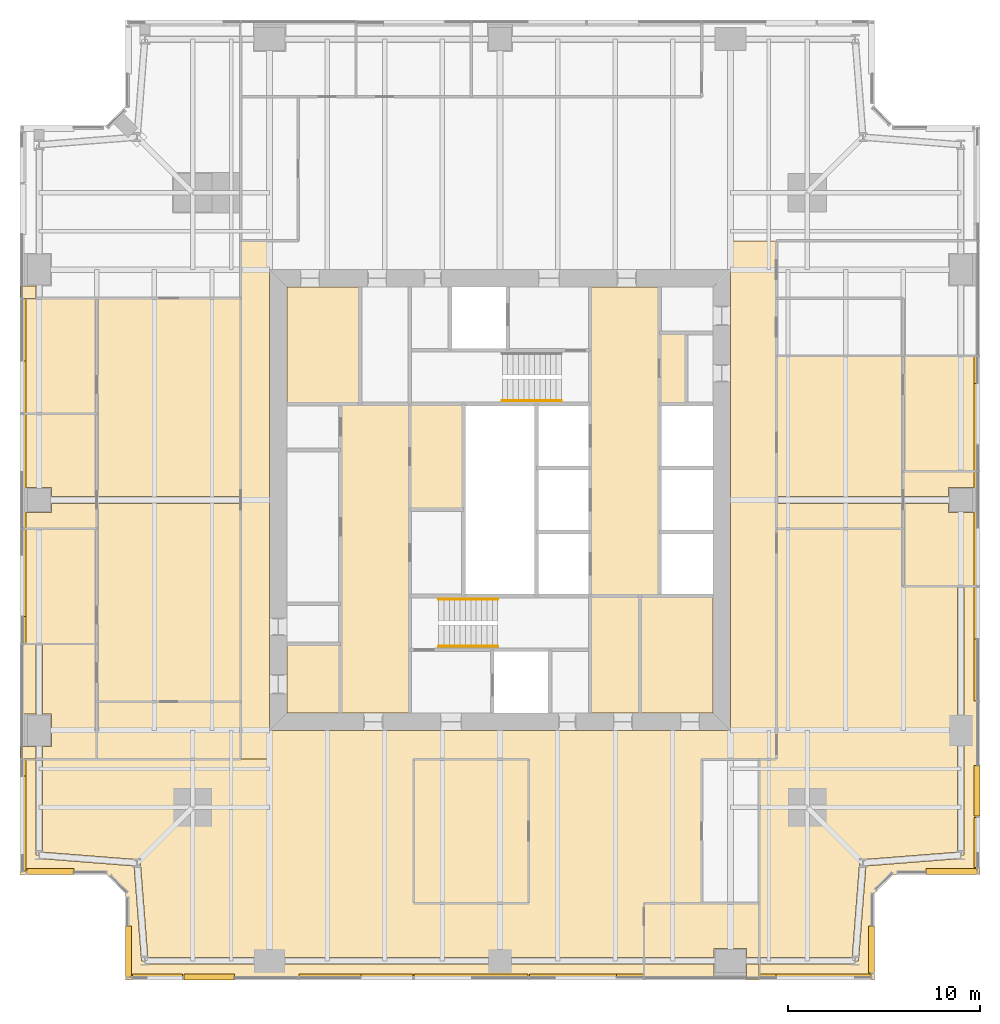
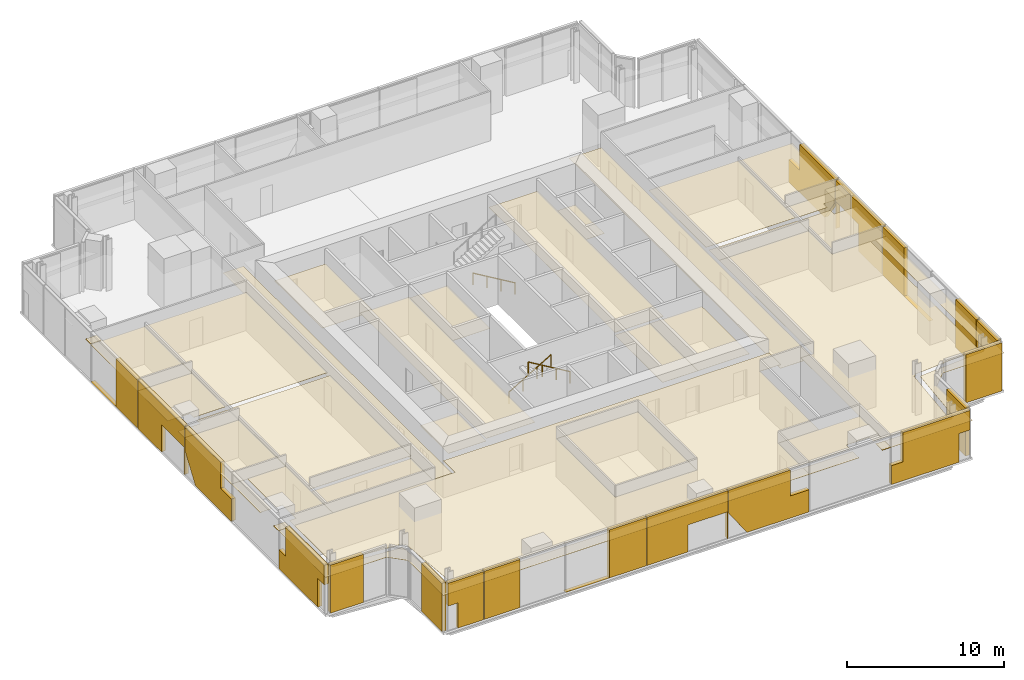
# One storey, part 15 of 16: 53 coverings, 3 railings.
"""IFC4 building model written with IfcOpenShell, lengths in metres."""

from ifc_helpers import new_model, si_unit, direction, frame, origin, origin_2d, place, context, subcontext, project, spatial, polyline, circle, outline, extrude, material, layer, layer_set, type_object, element, save


model = new_model("IFC4")

# Units and contexts
model_context = context("Model", 3, precision=1e-05, world=origin(), true_north=direction((0.0, 1.0)))
body_context = subcontext(model_context, "Body", "Model", "MODEL_VIEW")
ifc_project = project(units=[si_unit("LENGTHUNIT", "METRE"), si_unit("AREAUNIT", "SQUARE_METRE"), si_unit("VOLUMEUNIT", "CUBIC_METRE"), si_unit("PLANEANGLEUNIT", "RADIAN"), si_unit("MASSUNIT", "GRAM", prefix="KILO")], contexts=[model_context])

# Site, building, storey
site_placement = place(None, origin())
site = spatial("IfcSite", under=ifc_project, at=site_placement, CompositionType="ELEMENT")
building_placement = place(site_placement, origin())
building = spatial("IfcBuilding", under=site, at=building_placement, Name="Fenwick Lantern Interchange", CompositionType="ELEMENT")
storey_placement = place(building_placement, frame((0.0, 0.0, 177.800048828125)))
storey = spatial("IfcBuildingStorey", under=building, at=storey_placement, Name="L41", CompositionType="ELEMENT", Elevation=177.800048828125)

# Coverings
ifc_material_1 = material(Name="Mineral fibre acoustic tile on suspended grid")
ifc_layer_1 = layer(ifc_material_1, 0.02001953125)
ifc_layer_set_1 = layer_set([ifc_layer_1], Name="ACOUSTIC TILE CEILING 20")
covering_type_1 = type_object("IfcCoveringType", Name="ACOUSTIC TILE CEILING 20", PredefinedType="CEILING", material=ifc_layer_set_1)
covering_1_placement = place(storey_placement, frame((0.0, 0.0, 2.699951171875)))
element("IfcCovering", 1, at=covering_1_placement, inside=storey, type_object=covering_type_1, Name="Mail room ceiling", PredefinedType="CEILING", context=body_context, shape_type="SweptSolid", body=[
    extrude(outline(polyline([(20.300048828125, 24.5), (23.10009765625, 24.5), (23.10009765625, 30.0), (20.300048828125, 30.0), (20.300048828125, 24.5)])), origin(), (0.0, 0.0, 1.0), 0.02001953125),
])
covering_2_placement = place(storey_placement, frame((0.0, 0.0, 2.699951171875)))
element("IfcCovering", 2, at=covering_2_placement, inside=storey, type_object=covering_type_1, Name="Mail room ceiling", PredefinedType="CEILING", context=body_context, shape_type="SweptSolid", body=[
    extrude(outline(polyline([(34.699951171875, 33.699951171875), (33.300048828125, 33.699951171875), (33.300048828125, 30.0), (34.699951171875, 30.0), (34.699951171875, 33.699951171875)])), origin(), (0.0, 0.0, 1.0), 0.02001953125),
])
covering_3_placement = place(storey_placement, frame((0.0, 0.0, 2.89990234375)))
element("IfcCovering", 3, at=covering_3_placement, inside=storey, type_object=covering_type_1, Name="Open office ceiling", PredefinedType="CEILING", context=body_context, shape_type="SweptSolid", body=[
    extrude(outline(polyline([(32.5, 4.0), (35.5, 4.0), (35.5, 11.5), (37.0, 11.5), (37.0, 13.0), (13.0, 13.0), (13.0, 11.5), (1.17236328125, 11.5), (1.17236328125, 6.659423828125), (6.113525390625, 6.27197265625), (6.10009765625, 6.10009765625), (6.27197265625, 6.113525390625), (6.659423828125, 1.17236328125), (13.0, 1.17236328125), (25.0, 1.17236328125), (32.5, 1.17236328125), (32.5, 4.0)]), holes=[polyline([(20.5, 11.5), (26.5, 11.5), (26.5, 4.0), (20.5, 4.0), (20.5, 11.5)])]), origin(), (0.0, 0.0, 1.0), 0.02001953125),
])
covering_4_placement = place(storey_placement, frame((0.0, 0.0, 2.89990234375)))
element("IfcCovering", 4, at=covering_4_placement, inside=storey, type_object=covering_type_1, Name="Open office ceiling", PredefinedType="CEILING", context=body_context, shape_type="SweptSolid", body=[
    extrude(outline(polyline([(32.5, 0.0), (32.5, 0.82763671875), (25.0, 0.82763671875), (13.0, 0.82763671875), (6.5, 0.82763671875), (6.5, 1.0), (6.328125, 0.986572265625), (5.939697265625, 5.939697265625), (0.986572265625, 6.328125), (1.0, 6.5), (0.82763671875, 6.5), (0.82763671875, 11.5), (0.0, 11.5), (0.0, 5.5), (4.5, 5.5), (5.5, 4.5), (5.5, 0.0), (32.5, 0.0)])), origin(), (0.0, 0.0, 1.0), 0.02001953125),
])
covering_5_placement = place(storey_placement, frame((0.0, 0.0, 2.89990234375)))
element("IfcCovering", 5, at=covering_5_placement, inside=storey, type_object=covering_type_1, Name="Meeting room ceiling", PredefinedType="CEILING", context=body_context, shape_type="SweptSolid", body=[
    extrude(outline(polyline([(20.5, 4.0), (26.5, 4.0), (26.5, 11.5), (20.5, 11.5), (20.5, 4.0)])), origin(), (0.0, 0.0, 1.0), 0.02001953125),
])
covering_6_placement = place(storey_placement, frame((0.0, 0.0, 2.89990234375)))
element("IfcCovering", 6, at=covering_6_placement, inside=storey, type_object=covering_type_1, Name="Office ceiling", PredefinedType="CEILING", context=body_context, shape_type="SweptSolid", body=[
    extrude(outline(polyline([(32.5, 4.0), (32.5, 1.17236328125), (36.14990234375, 1.17236328125), (36.14990234375, 1.64990234375), (37.85009765625, 1.64990234375), (37.85009765625, 1.17236328125), (38.5, 1.17236328125), (38.5, 4.0), (32.5, 4.0)])), origin(), (0.0, 0.0, 1.0), 0.02001953125),
])
covering_7_placement = place(storey_placement, frame((0.0, 0.0, 2.89990234375)))
element("IfcCovering", 7, at=covering_7_placement, inside=storey, type_object=covering_type_1, Name="Office ceiling", PredefinedType="CEILING", context=body_context, shape_type="SweptSolid", body=[
    extrude(outline(polyline([(32.5, 0.82763671875), (32.5, 0.0), (36.14990234375, 0.0), (36.14990234375, 0.82763671875), (32.5, 0.82763671875)])), origin(), (0.0, 0.0, 1.0), 0.02001953125),
])
covering_8_placement = place(storey_placement, frame((0.0, 0.0, 2.89990234375)))
element("IfcCovering", 8, at=covering_8_placement, inside=storey, type_object=covering_type_1, Name="Office ceiling", PredefinedType="CEILING", context=body_context, shape_type="SweptSolid", body=[
    extrude(outline(polyline([(38.5, 0.0), (38.5, 0.82763671875), (37.85009765625, 0.82763671875), (37.85009765625, 0.0), (38.5, 0.0)])), origin(), (0.0, 0.0, 1.0), 0.02001953125),
])
covering_9_placement = place(storey_placement, frame((0.0, 0.0, 2.8681640625)))
element("IfcCovering", 9, at=covering_9_placement, inside=storey, type_object=covering_type_1, Name="Meeting room ceiling", PredefinedType="CEILING", context=body_context, shape_type="SweptSolid", body=[
    extrude(outline(polyline([(46.0, 20.5), (50.0, 20.5), (50.0, 24.35009765625), (48.35009765625, 24.35009765625), (48.35009765625, 24.824951171875), (46.0, 24.824951171875), (46.0, 20.5)])), origin(), (0.0, 0.0, 1.0), 0.02001953125),
])
covering_10_placement = place(storey_placement, frame((0.0, 0.0, 2.8681640625)))
element("IfcCovering", 10, at=covering_10_placement, inside=storey, type_object=covering_type_1, Name="Meeting room ceiling", PredefinedType="CEILING", context=body_context, shape_type="SweptSolid", body=[
    extrude(outline(polyline([(46.0, 26.5), (46.0, 25.175048828125), (48.35009765625, 25.175048828125), (48.35009765625, 25.64990234375), (50.0, 25.64990234375), (50.0, 26.5), (46.0, 26.5)])), origin(), (0.0, 0.0, 1.0), 0.02001953125),
])
covering_11_placement = place(storey_placement, frame((0.0, 0.0, 2.8681640625)))
element("IfcCovering", 11, at=covering_11_placement, inside=storey, type_object=covering_type_1, Name="Meeting room ceiling", PredefinedType="CEILING", context=body_context, shape_type="SweptSolid", body=[
    extrude(outline(polyline([(50.0, 26.5), (50.0, 32.5), (46.0, 32.5), (46.0, 26.5), (50.0, 26.5)])), origin(), (0.0, 0.0, 1.0), 0.02001953125),
])
covering_12_placement = place(storey_placement, frame((0.0, 0.0, 2.89990234375)))
element("IfcCovering", 12, at=covering_12_placement, inside=storey, type_object=covering_type_1, Name="Open office ceiling", PredefinedType="CEILING", context=body_context, shape_type="SweptSolid", body=[
    extrude(outline(polyline([(11.5, 14.5), (11.5, 24.824951171875), (4.0, 24.824951171875), (4.0, 14.5), (11.5, 14.5)])), origin(), (0.0, 0.0, 1.0), 0.02001953125),
])
covering_13_placement = place(storey_placement, frame((0.0, 0.0, 2.89990234375)))
element("IfcCovering", 13, at=covering_13_placement, inside=storey, type_object=covering_type_1, Name="Open office ceiling", PredefinedType="CEILING", context=body_context, shape_type="SweptSolid", body=[
    extrude(outline(polyline([(11.5, 25.175048828125), (11.5, 35.5), (4.0, 35.5), (4.0, 25.175048828125), (11.5, 25.175048828125)])), origin(), (0.0, 0.0, 1.0), 0.02001953125),
])
covering_14_placement = place(storey_placement, frame((0.0, 0.0, 2.89990234375)))
element("IfcCovering", 14, at=covering_14_placement, inside=storey, type_object=covering_type_1, Name="Executive office ceiling", PredefinedType="CEILING", context=body_context, shape_type="SweptSolid", body=[
    extrude(outline(polyline([(0.0, 35.5), (0.82763671875, 35.5), (0.82763671875, 36.14990234375), (0.0, 36.14990234375), (0.0, 35.5)])), origin(), (0.0, 0.0, 1.0), 0.02001953125),
])
covering_15_placement = place(storey_placement, frame((0.0, 0.0, 2.8681640625)))
element("IfcCovering", 15, at=covering_15_placement, inside=storey, type_object=covering_type_1, Name="Office ceiling", PredefinedType="CEILING", context=body_context, shape_type="SweptSolid", body=[
    extrude(outline(polyline([(0.0, 35.5), (0.0, 29.5), (4.0, 29.5), (4.0, 35.5), (0.0, 35.5)])), origin(), (0.0, 0.0, 1.0), 0.02001953125),
])
covering_16_placement = place(storey_placement, frame((0.0, 0.0, 2.8681640625)))
element("IfcCovering", 16, at=covering_16_placement, inside=storey, type_object=covering_type_1, Name="Office ceiling", PredefinedType="CEILING", context=body_context, shape_type="SweptSolid", body=[
    extrude(outline(polyline([(4.0, 29.5), (0.0, 29.5), (0.0, 25.64990234375), (1.64990234375, 25.64990234375), (1.64990234375, 25.175048828125), (4.0, 25.175048828125), (4.0, 29.5)])), origin(), (0.0, 0.0, 1.0), 0.02001953125),
])
covering_17_placement = place(storey_placement, frame((0.0, 0.0, 2.8681640625)))
element("IfcCovering", 17, at=covering_17_placement, inside=storey, type_object=covering_type_1, Name="Office ceiling", PredefinedType="CEILING", context=body_context, shape_type="SweptSolid", body=[
    extrude(outline(polyline([(4.0, 23.5), (4.0, 24.824951171875), (1.64990234375, 24.824951171875), (1.64990234375, 24.35009765625), (0.0, 24.35009765625), (0.0, 23.5), (4.0, 23.5)])), origin(), (0.0, 0.0, 1.0), 0.02001953125),
])
covering_18_placement = place(storey_placement, frame((0.0, 0.0, 2.8681640625)))
element("IfcCovering", 18, at=covering_18_placement, inside=storey, type_object=covering_type_1, Name="Office ceiling", PredefinedType="CEILING", context=body_context, shape_type="SweptSolid", body=[
    extrude(outline(polyline([(0.0, 23.5), (0.0, 17.5), (4.0, 17.5), (4.0, 23.5), (0.0, 23.5)])), origin(), (0.0, 0.0, 1.0), 0.02001953125),
])
covering_19_placement = place(storey_placement, frame((0.0, 0.0, 2.89990234375)))
element("IfcCovering", 19, at=covering_19_placement, inside=storey, type_object=covering_type_1, Name="Meeting room ceiling", PredefinedType="CEILING", context=body_context, shape_type="SweptSolid", body=[
    extrude(outline(polyline([(4.0, 17.5), (1.17236328125, 17.5), (1.17236328125, 13.85009765625), (1.64990234375, 13.85009765625), (1.64990234375, 12.14990234375), (1.17236328125, 12.14990234375), (1.17236328125, 11.5), (4.0, 11.5), (4.0, 17.5)])), origin(), (0.0, 0.0, 1.0), 0.02001953125),
])
covering_20_placement = place(storey_placement, frame((0.0, 0.0, 2.89990234375)))
element("IfcCovering", 20, at=covering_20_placement, inside=storey, type_object=covering_type_1, Name="Meeting room ceiling", PredefinedType="CEILING", context=body_context, shape_type="SweptSolid", body=[
    extrude(outline(polyline([(0.82763671875, 17.5), (0.0, 17.5), (0.0, 13.85009765625), (0.82763671875, 13.85009765625), (0.82763671875, 17.5)])), origin(), (0.0, 0.0, 1.0), 0.02001953125),
])
covering_21_placement = place(storey_placement, frame((0.0, 0.0, 2.89990234375)))
element("IfcCovering", 21, at=covering_21_placement, inside=storey, type_object=covering_type_1, Name="Meeting room ceiling", PredefinedType="CEILING", context=body_context, shape_type="SweptSolid", body=[
    extrude(outline(polyline([(0.0, 11.5), (0.82763671875, 11.5), (0.82763671875, 12.14990234375), (0.0, 12.14990234375), (0.0, 11.5)])), origin(), (0.0, 0.0, 1.0), 0.02001953125),
])
ifc_material_2 = material(Name="Granite cladding, warm grey flamed finish, on aluminium carrier frame", Category="masonry")
ifc_layer_2 = layer(ifc_material_2, 0.300048828125)
ifc_layer_set_2 = layer_set([ifc_layer_2], Name="BRACE CASING PANEL 300")
covering_type_2 = type_object("IfcCoveringType", Name="BRACE CASING PANEL 300", PredefinedType="CLADDING", material=ifc_layer_set_2)
covering_22_placement = place(storey_placement, frame((5.60009765625, 0.10009765625, 0.0), z_axis=(0.0, 0.0, 1.0), x_axis=(1.0, 0.0, 0.0)))
element("IfcCovering", 22, at=covering_22_placement, inside=storey, type_object=covering_type_2, Name="Brace casing 01 bay 00a", PredefinedType="CLADDING", context=body_context, shape_type="SweptSolid", body=[
    extrude(outline(polyline([(0.9951171875, 0.0), (2.867431640625, 0.0), (2.867431640625, 3.75), (0.264892578125, 3.75), (0.264892578125, 1.970947265625), (0.9951171875, 1.970947265625), (0.9951171875, 0.0)])), frame((0.0, 0.2001953125, 0.0), z_axis=(0.0, -1.0, 0.0), x_axis=(1.0, 0.0, 0.0)), (0.0, 0.0, 1.0), 0.300048828125),
])
covering_23_placement = place(storey_placement, frame((5.60009765625, 0.10009765625, 0.0), z_axis=(0.0, 0.0, 1.0), x_axis=(1.0, 0.0, 0.0)))
element("IfcCovering", 23, at=covering_23_placement, inside=storey, type_object=covering_type_2, Name="Brace casing 01 bay 01a", PredefinedType="CLADDING", context=body_context, shape_type="SweptSolid", body=[
    extrude(outline(polyline([(2.9326171875, 0.0), (5.5693359375, 0.0), (5.5693359375, 3.75), (2.9326171875, 3.75), (2.9326171875, 0.0)])), frame((0.0, 0.2001953125, 0.0), z_axis=(0.0, -1.0, 0.0), x_axis=(1.0, 0.0, 0.0)), (0.0, 0.0, 1.0), 0.300048828125),
])
covering_24_placement = place(storey_placement, frame((5.60009765625, 0.10009765625, 0.0), z_axis=(0.0, 0.0, 1.0), x_axis=(1.0, 0.0, 0.0)))
element("IfcCovering", 24, at=covering_24_placement, inside=storey, type_object=covering_type_2, Name="Brace casing 01 bay 02a", PredefinedType="CLADDING", context=body_context, shape_type="SweptSolid", body=[
    extrude(outline(polyline([(8.9326171875, 0.0), (14.867431640625, 0.0), (14.867431640625, 3.75), (12.1474609375, 3.75), (12.1474609375, 0.004638671875), (8.9326171875, 0.004638671875), (8.9326171875, 0.0)])), frame((0.0, 0.2001953125, 0.0), z_axis=(0.0, -1.0, 0.0), x_axis=(1.0, 0.0, 0.0)), (0.0, 0.0, 1.0), 0.300048828125),
])
covering_25_placement = place(storey_placement, frame((5.60009765625, 0.10009765625, 0.0), z_axis=(0.0, 0.0, 1.0), x_axis=(1.0, 0.0, 0.0)))
element("IfcCovering", 25, at=covering_25_placement, inside=storey, type_object=covering_type_2, Name="Brace casing 01 bay 03a", PredefinedType="CLADDING", context=body_context, shape_type="SweptSolid", body=[
    extrude(outline(polyline([(14.9326171875, 0.0), (17.955078125, 0.0), (17.955078125, 2.10595703125), (20.84521484375, 2.10595703125), (20.84521484375, 0.0), (20.867431640625, 0.0), (20.867431640625, 3.75), (14.9326171875, 3.75), (14.9326171875, 0.0)])), frame((0.0, 0.2001953125, 0.0), z_axis=(0.0, -1.0, 0.0), x_axis=(1.0, 0.0, 0.0)), (0.0, 0.0, 1.0), 0.300048828125),
])
covering_26_placement = place(storey_placement, frame((5.60009765625, 0.10009765625, 0.0), z_axis=(0.0, 0.0, 1.0), x_axis=(1.0, 0.0, 0.0)))
element("IfcCovering", 26, at=covering_26_placement, inside=storey, type_object=covering_type_2, Name="Brace casing 01 bay 04a", PredefinedType="CLADDING", context=body_context, shape_type="SweptSolid", body=[
    extrude(outline(polyline([(22.289794921875, 0.0), (26.867431640625, 0.0), (26.867431640625, 1.723876953125), (25.472900390625, 1.723876953125), (25.472900390625, 3.75), (20.9326171875, 3.75), (20.9326171875, 1.978515625), (22.289794921875, 0.0)])), frame((0.0, 0.2001953125, 0.0), z_axis=(0.0, -1.0, 0.0), x_axis=(1.0, 0.0, 0.0)), (0.0, 0.0, 1.0), 0.300048828125),
])
covering_27_placement = place(storey_placement, frame((5.60009765625, 0.10009765625, 0.0), z_axis=(0.0, 0.0, 1.0), x_axis=(1.0, 0.0, 0.0)))
element("IfcCovering", 27, at=covering_27_placement, inside=storey, type_object=covering_type_2, Name="Brace casing 01 bay 06a", PredefinedType="CLADDING", context=body_context, shape_type="SweptSolid", body=[
    extrude(outline(polyline([(32.9326171875, 0.0), (37.902587890625, 0.0), (37.902587890625, 2.2333984375), (38.735107421875, 2.2333984375), (38.735107421875, 3.75), (33.777587890625, 3.75), (33.777587890625, 1.468017578125), (32.9326171875, 1.468017578125), (32.9326171875, 0.0)])), frame((0.0, 0.2001953125, 0.0), z_axis=(0.0, -1.0, 0.0), x_axis=(1.0, 0.0, 0.0)), (0.0, 0.0, 1.0), 0.300048828125),
])
covering_28_placement = place(storey_placement, frame((44.39990234375, 0.10009765625, 0.0), z_axis=(0.0, 0.0, 1.0), x_axis=(0.0, 1.0, 0.0)))
element("IfcCovering", 28, at=covering_28_placement, inside=storey, type_object=covering_type_2, Name="Brace casing 02 bay 00a", PredefinedType="CLADDING", context=body_context, shape_type="SweptSolid", body=[
    extrude(outline(polyline([(0.264892578125, 0.0), (2.699951171875, 0.0), (2.699951171875, 3.75), (0.264892578125, 3.75), (0.264892578125, 0.0)])), frame((0.0, 0.2001953125, 0.0), z_axis=(0.0, -1.0, 0.0), x_axis=(1.0, 0.0, 0.0)), (0.0, 0.0, 1.0), 0.300048828125),
])
covering_29_placement = place(storey_placement, frame((45.45849609375, 5.60009765625, 0.0), z_axis=(0.0, 0.0, 1.0), x_axis=(1.0, 0.0, 0.0)))
element("IfcCovering", 29, at=covering_29_placement, inside=storey, type_object=covering_type_2, Name="Brace casing 04 bay 00a", PredefinedType="CLADDING", context=body_context, shape_type="SweptSolid", body=[
    extrude(outline(polyline([(1.741455078125, 0.0), (4.37646484375, 0.0), (4.37646484375, 3.75), (1.741455078125, 3.75), (1.741455078125, 0.0)])), frame((0.0, 0.2001953125, 0.0), z_axis=(0.0, -1.0, 0.0), x_axis=(1.0, 0.0, 0.0)), (0.0, 0.0, 1.0), 0.300048828125),
])
covering_30_placement = place(storey_placement, frame((49.89990234375, 5.60009765625, 0.0), z_axis=(0.0, 0.0, 1.0), x_axis=(0.0, 1.0, 0.0)))
element("IfcCovering", 30, at=covering_30_placement, inside=storey, type_object=covering_type_2, Name="Brace casing 05 bay 00a", PredefinedType="CLADDING", context=body_context, shape_type="SweptSolid", body=[
    extrude(outline(polyline([(0.9951171875, 0.0), (2.867431640625, 0.0), (2.867431640625, 3.75), (0.264892578125, 3.75), (0.264892578125, 1.970947265625), (0.9951171875, 1.970947265625), (0.9951171875, 0.0)])), frame((0.0, 0.2001953125, 0.0), z_axis=(0.0, -1.0, 0.0), x_axis=(1.0, 0.0, 0.0)), (0.0, 0.0, 1.0), 0.300048828125),
])
covering_31_placement = place(storey_placement, frame((49.89990234375, 5.60009765625, 0.0), z_axis=(0.0, 0.0, 1.0), x_axis=(0.0, 1.0, 0.0)))
element("IfcCovering", 31, at=covering_31_placement, inside=storey, type_object=covering_type_2, Name="Brace casing 05 bay 01a", PredefinedType="CLADDING", context=body_context, shape_type="SweptSolid", body=[
    extrude(outline(polyline([(2.9326171875, 0.0), (5.5693359375, 0.0), (5.5693359375, 3.75), (2.9326171875, 3.75), (2.9326171875, 0.0)])), frame((0.0, 0.2001953125, 0.0), z_axis=(0.0, -1.0, 0.0), x_axis=(1.0, 0.0, 0.0)), (0.0, 0.0, 1.0), 0.300048828125),
])
covering_32_placement = place(storey_placement, frame((49.89990234375, 5.60009765625, 0.0), z_axis=(0.0, 0.0, 1.0), x_axis=(0.0, 1.0, 0.0)))
element("IfcCovering", 32, at=covering_32_placement, inside=storey, type_object=covering_type_2, Name="Brace casing 05 bay 02a", PredefinedType="CLADDING", context=body_context, shape_type="SweptSolid", body=[
    extrude(outline(polyline([(8.9326171875, 0.0), (14.867431640625, 0.0), (14.867431640625, 3.75), (12.1474609375, 3.75), (12.1474609375, 0.004638671875), (8.9326171875, 0.004638671875), (8.9326171875, 0.0)])), frame((0.0, 0.2001953125, 0.0), z_axis=(0.0, -1.0, 0.0), x_axis=(1.0, 0.0, 0.0)), (0.0, 0.0, 1.0), 0.300048828125),
])
covering_33_placement = place(storey_placement, frame((49.89990234375, 5.60009765625, 0.0), z_axis=(0.0, 0.0, 1.0), x_axis=(0.0, 1.0, 0.0)))
element("IfcCovering", 33, at=covering_33_placement, inside=storey, type_object=covering_type_2, Name="Brace casing 05 bay 03a", PredefinedType="CLADDING", context=body_context, shape_type="SweptSolid", body=[
    extrude(outline(polyline([(14.9326171875, 0.0), (17.955078125, 0.0), (17.955078125, 2.10595703125), (20.84521484375, 2.10595703125), (20.84521484375, 0.0), (20.867431640625, 0.0), (20.867431640625, 3.75), (14.9326171875, 3.75), (14.9326171875, 0.0)])), frame((0.0, 0.2001953125, 0.0), z_axis=(0.0, -1.0, 0.0), x_axis=(1.0, 0.0, 0.0)), (0.0, 0.0, 1.0), 0.300048828125),
])
covering_34_placement = place(storey_placement, frame((49.89990234375, 5.60009765625, 0.0), z_axis=(0.0, 0.0, 1.0), x_axis=(0.0, 1.0, 0.0)))
element("IfcCovering", 34, at=covering_34_placement, inside=storey, type_object=covering_type_2, Name="Brace casing 05 bay 04a", PredefinedType="CLADDING", context=body_context, shape_type="SweptSolid", body=[
    extrude(outline(polyline([(22.289794921875, 0.0), (26.867431640625, 0.0), (26.867431640625, 1.723876953125), (25.472900390625, 1.723876953125), (25.472900390625, 3.75), (20.9326171875, 3.75), (20.9326171875, 1.978515625), (22.289794921875, 0.0)])), frame((0.0, 0.2001953125, 0.0), z_axis=(0.0, -1.0, 0.0), x_axis=(1.0, 0.0, 0.0)), (0.0, 0.0, 1.0), 0.300048828125),
])
covering_35_placement = place(storey_placement, frame((0.10009765625, 44.39990234375, 0.0), z_axis=(0.0, 0.0, 1.0), x_axis=(0.0, -1.0, 0.0)))
element("IfcCovering", 35, at=covering_35_placement, inside=storey, type_object=covering_type_2, Name="Brace casing 13 bay 02a", PredefinedType="CLADDING", context=body_context, shape_type="SweptSolid", body=[
    extrude(outline(polyline([(8.9326171875, 0.0), (14.867431640625, 0.0), (14.867431640625, 3.75), (12.1474609375, 3.75), (12.1474609375, 0.004638671875), (8.9326171875, 0.004638671875), (8.9326171875, 0.0)])), frame((0.0, 0.2001953125, 0.0), z_axis=(0.0, -1.0, 0.0), x_axis=(1.0, 0.0, 0.0)), (0.0, 0.0, 1.0), 0.300048828125),
])
covering_36_placement = place(storey_placement, frame((0.10009765625, 44.39990234375, 0.0), z_axis=(0.0, 0.0, 1.0), x_axis=(0.0, -1.0, 0.0)))
element("IfcCovering", 36, at=covering_36_placement, inside=storey, type_object=covering_type_2, Name="Brace casing 13 bay 03a", PredefinedType="CLADDING", context=body_context, shape_type="SweptSolid", body=[
    extrude(outline(polyline([(14.9326171875, 0.0), (17.955078125, 0.0), (17.955078125, 2.10595703125), (20.84521484375, 2.10595703125), (20.84521484375, 0.0), (20.867431640625, 0.0), (20.867431640625, 3.75), (14.9326171875, 3.75), (14.9326171875, 0.0)])), frame((0.0, 0.2001953125, 0.0), z_axis=(0.0, -1.0, 0.0), x_axis=(1.0, 0.0, 0.0)), (0.0, 0.0, 1.0), 0.300048828125),
])
covering_37_placement = place(storey_placement, frame((0.10009765625, 44.39990234375, 0.0), z_axis=(0.0, 0.0, 1.0), x_axis=(0.0, -1.0, 0.0)))
element("IfcCovering", 37, at=covering_37_placement, inside=storey, type_object=covering_type_2, Name="Brace casing 13 bay 04a", PredefinedType="CLADDING", context=body_context, shape_type="SweptSolid", body=[
    extrude(outline(polyline([(22.289794921875, 0.0), (26.867431640625, 0.0), (26.867431640625, 1.723876953125), (25.472900390625, 1.723876953125), (25.472900390625, 3.75), (20.9326171875, 3.75), (20.9326171875, 1.978515625), (22.289794921875, 0.0)])), frame((0.0, 0.2001953125, 0.0), z_axis=(0.0, -1.0, 0.0), x_axis=(1.0, 0.0, 0.0)), (0.0, 0.0, 1.0), 0.300048828125),
])
covering_38_placement = place(storey_placement, frame((0.10009765625, 44.39990234375, 0.0), z_axis=(0.0, 0.0, 1.0), x_axis=(0.0, -1.0, 0.0)))
element("IfcCovering", 38, at=covering_38_placement, inside=storey, type_object=covering_type_2, Name="Brace casing 13 bay 06a", PredefinedType="CLADDING", context=body_context, shape_type="SweptSolid", body=[
    extrude(outline(polyline([(32.9326171875, 0.0), (37.902587890625, 0.0), (37.902587890625, 2.2333984375), (38.735107421875, 2.2333984375), (38.735107421875, 3.75), (33.777587890625, 3.75), (33.777587890625, 1.468017578125), (32.9326171875, 1.468017578125), (32.9326171875, 0.0)])), frame((0.0, 0.2001953125, 0.0), z_axis=(0.0, -1.0, 0.0), x_axis=(1.0, 0.0, 0.0)), (0.0, 0.0, 1.0), 0.300048828125),
])
covering_39_placement = place(storey_placement, frame((0.10009765625, 5.60009765625, 0.0), z_axis=(0.0, 0.0, 1.0), x_axis=(1.0, 0.0, 0.0)))
element("IfcCovering", 39, at=covering_39_placement, inside=storey, type_object=covering_type_2, Name="Brace casing 14 bay 00a", PredefinedType="CLADDING", context=body_context, shape_type="SweptSolid", body=[
    extrude(outline(polyline([(0.264892578125, 0.0), (2.699951171875, 0.0), (2.699951171875, 3.75), (0.264892578125, 3.75), (0.264892578125, 0.0)])), frame((0.0, 0.2001953125, 0.0), z_axis=(0.0, -1.0, 0.0), x_axis=(1.0, 0.0, 0.0)), (0.0, 0.0, 1.0), 0.300048828125),
])
covering_40_placement = place(storey_placement, frame((5.60009765625, 4.54150390625, 0.0), z_axis=(0.0, 0.0, 1.0), x_axis=(0.0, -1.0, 0.0)))
element("IfcCovering", 40, at=covering_40_placement, inside=storey, type_object=covering_type_2, Name="Brace casing 16 bay 00a", PredefinedType="CLADDING", context=body_context, shape_type="SweptSolid", body=[
    extrude(outline(polyline([(1.741455078125, 0.0), (4.37646484375, 0.0), (4.37646484375, 3.75), (1.741455078125, 3.75), (1.741455078125, 0.0)])), frame((0.0, 0.2001953125, 0.0), z_axis=(0.0, -1.0, 0.0), x_axis=(1.0, 0.0, 0.0)), (0.0, 0.0, 1.0), 0.300048828125),
])

# Railings
ifc_material_3 = material(Name="Stainless steel handrail", Category="steel")
railing_type = type_object("IfcRailingType", Name="HANDRAIL 900", PredefinedType="HANDRAIL", material=ifc_material_3)
railing_placement = place(storey_placement, frame((21.800048828125, 19.825927734375, 0.16650390625)))
element("IfcRailing", 41, at=railing_placement, inside=storey, type_object=railing_type, Name="L41/STAIR/ST1/HR1", PredefinedType="HANDRAIL", context=body_context, shape_type="SweptSolid", body=[
    extrude(circle(Radius=0.02392578125, at=origin_2d()), frame((0.0, 0.0, 0.8759765625), z_axis=(0.859260807169, 0.0, 0.511537745687), x_axis=(0.0, 1.0, 0.0)), (0.0, 0.0, 1.0), 3.584228515625),
    extrude(circle(Radius=0.02099609375, at=origin_2d()), origin(), (0.0, 0.0, 1.0), 0.851806640625),
    extrude(circle(Radius=0.02099609375, at=origin_2d()), frame((1.026611328125, 0.0, 0.611083984375)), (0.0, 0.0, 1.0), 0.851806640625),
    extrude(circle(Radius=0.02099609375, at=origin_2d()), frame((2.05322265625, 0.0, 1.222412109375)), (0.0, 0.0, 1.0), 0.851806640625),
    extrude(circle(Radius=0.02099609375, at=origin_2d()), frame((3.079833984375, 0.0, 1.83349609375)), (0.0, 0.0, 1.0), 0.851806640625),
])
for number, where, name in (
    (42, (24.8798828125, 17.3740234375, 2.16650390625), "L41/STAIR/ST1/HR2"),
    (43, (28.199951171875, 30.174072265625, 0.16650390625), "L41/STAIR/ST2/HR1"),
):
    element("IfcRailing", number, at=place(storey_placement, frame(where)), inside=storey, type_object=railing_type, Name=name, PredefinedType="HANDRAIL", context=body_context, shape_type="SweptSolid", body=[
        extrude(circle(Radius=0.02392578125, at=origin_2d()), frame((0.0, 0.0, 0.8759765625), z_axis=(-0.859260807169, 0.0, 0.511537745687), x_axis=(0.0, -1.0, 0.0)), (0.0, 0.0, 1.0), 3.584228515625),
        extrude(circle(Radius=0.02099609375, at=origin_2d()), origin(), (0.0, 0.0, 1.0), 0.851806640625),
        extrude(circle(Radius=0.02099609375, at=origin_2d()), frame((-1.026611328125, 0.0, 0.611083984375)), (0.0, 0.0, 1.0), 0.851806640625),
        extrude(circle(Radius=0.02099609375, at=origin_2d()), frame((-2.05322265625, 0.0, 1.222412109375)), (0.0, 0.0, 1.0), 0.851806640625),
        extrude(circle(Radius=0.02099609375, at=origin_2d()), frame((-3.079833984375, 0.0, 1.83349609375)), (0.0, 0.0, 1.0), 0.851806640625),
    ])

# Coverings
ifc_material_4 = material(Name="Moisture resistant gypsum board on suspended frame, painted")
ifc_layer_3 = layer(ifc_material_4, 0.014892578125)
ifc_layer_set_3 = layer_set([ifc_layer_3], Name="MOISTURE RESISTANT CEILING 15")
covering_type_3 = type_object("IfcCoveringType", Name="MOISTURE RESISTANT CEILING 15", PredefinedType="CEILING", material=ifc_layer_set_3)
covering_41_placement = place(storey_placement, frame((0.0, 0.0, 2.599853515625)))
element("IfcCovering", 44, at=covering_41_placement, inside=storey, type_object=covering_type_3, Name="Men's WC ceiling", PredefinedType="CEILING", context=body_context, shape_type="SweptSolid", body=[
    extrude(outline(polyline([(29.699951171875, 13.89990234375), (32.300048828125, 13.89990234375), (32.300048828125, 20.0), (29.699951171875, 20.0), (29.699951171875, 13.89990234375)])), origin(), (0.0, 0.0, 1.0), 0.01513671875),
])
covering_42_placement = place(storey_placement, frame((0.0, 0.0, 2.599853515625)))
element("IfcCovering", 45, at=covering_42_placement, inside=storey, type_object=covering_type_3, Name="Women's WC ceiling", PredefinedType="CEILING", context=body_context, shape_type="SweptSolid", body=[
    extrude(outline(polyline([(32.300048828125, 13.89990234375), (36.10009765625, 13.89990234375), (36.10009765625, 20.0), (32.300048828125, 20.0), (32.300048828125, 13.89990234375)])), origin(), (0.0, 0.0, 1.0), 0.01513671875),
])
covering_43_placement = place(storey_placement, frame((0.0, 0.0, 2.599853515625)))
element("IfcCovering", 46, at=covering_43_placement, inside=storey, type_object=covering_type_3, Name="Accessible WC and shower ceiling", PredefinedType="CEILING", context=body_context, shape_type="SweptSolid", body=[
    extrude(outline(polyline([(13.89990234375, 13.89990234375), (16.699951171875, 13.89990234375), (16.699951171875, 17.5), (13.89990234375, 17.5), (13.89990234375, 13.89990234375)])), origin(), (0.0, 0.0, 1.0), 0.01513671875),
])
covering_44_placement = place(storey_placement, frame((0.0, 0.0, 2.599853515625)))
element("IfcCovering", 47, at=covering_44_placement, inside=storey, type_object=covering_type_3, Name="Women's WC ceiling", PredefinedType="CEILING", context=body_context, shape_type="SweptSolid", body=[
    extrude(outline(polyline([(17.699951171875, 36.10009765625), (13.89990234375, 36.10009765625), (13.89990234375, 30.0), (17.699951171875, 30.0), (17.699951171875, 36.10009765625)])), origin(), (0.0, 0.0, 1.0), 0.01513671875),
])
covering_45_placement = place(storey_placement, frame((0.0, 0.0, 2.699951171875)))
element("IfcCovering", 48, at=covering_45_placement, inside=storey, type_object=covering_type_3, Name="Pantry ceiling", PredefinedType="CEILING", context=body_context, shape_type="SweptSolid", body=[
    extrude(outline(polyline([(4.0, 14.5), (4.0, 11.5), (11.5, 11.5), (11.5, 14.5), (4.0, 14.5)])), origin(), (0.0, 0.0, 1.0), 0.014892578125),
])
ifc_material_5 = material(Name="Gypsum plasterboard on suspended frame, painted")
ifc_layer_4 = layer(ifc_material_5, 0.014892578125)
ifc_layer_set_4 = layer_set([ifc_layer_4], Name="PLASTERBOARD CEILING 15")
covering_type_4 = type_object("IfcCoveringType", Name="PLASTERBOARD CEILING 15", PredefinedType="CEILING", material=ifc_layer_set_4)
covering_46_placement = place(storey_placement, frame((0.0, 0.0, 2.800048828125)))
element("IfcCovering", 49, at=covering_46_placement, inside=storey, type_object=covering_type_4, Name="Lift lobby ceiling", PredefinedType="CEILING", context=body_context, shape_type="SweptSolid", body=[
    extrude(outline(polyline([(16.699951171875, 13.89990234375), (20.300048828125, 13.89990234375), (20.300048828125, 30.0), (16.699951171875, 30.0), (16.699951171875, 13.89990234375)])), origin(), (0.0, 0.0, 1.0), 0.014892578125),
])
covering_47_placement = place(storey_placement, frame((0.0, 0.0, 2.800048828125)))
element("IfcCovering", 50, at=covering_47_placement, inside=storey, type_object=covering_type_4, Name="Lift lobby ceiling", PredefinedType="CEILING", context=body_context, shape_type="SweptSolid", body=[
    extrude(outline(polyline([(33.300048828125, 36.10009765625), (29.699951171875, 36.10009765625), (29.699951171875, 20.0), (33.300048828125, 20.0), (33.300048828125, 36.10009765625)])), origin(), (0.0, 0.0, 1.0), 0.014892578125),
])
covering_48_placement = place(storey_placement, frame((0.0, 0.0, 2.599853515625)))
element("IfcCovering", 51, at=covering_48_placement, inside=storey, type_object=covering_type_4, Name="Corridor ceiling", PredefinedType="CEILING", context=body_context, shape_type="SweptSolid", body=[
    extrude(outline(polyline([(13.0, 38.5), (11.5, 38.5), (11.5, 11.5), (13.0, 11.5), (13.0, 38.5)])), origin(), (0.0, 0.0, 1.0), 0.01513671875),
])
covering_49_placement = place(storey_placement, frame((0.0, 0.0, 2.89990234375)))
element("IfcCovering", 52, at=covering_49_placement, inside=storey, type_object=covering_type_4, Name="Reception ceiling", PredefinedType="CEILING", context=body_context, shape_type="SweptSolid", body=[
    extrude(outline(polyline([(39.39990234375, 32.5), (39.39990234375, 25.175048828125), (46.0, 25.175048828125), (46.0, 32.5), (39.39990234375, 32.5)])), origin(), (0.0, 0.0, 1.0), 0.01513671875),
])
covering_50_placement = place(storey_placement, frame((0.0, 0.0, 2.89990234375)))
element("IfcCovering", 53, at=covering_50_placement, inside=storey, type_object=covering_type_4, Name="Reception ceiling", PredefinedType="CEILING", context=body_context, shape_type="SweptSolid", body=[
    extrude(outline(polyline([(39.39990234375, 23.5), (46.0, 23.5), (46.0, 24.824951171875), (39.39990234375, 24.824951171875), (39.39990234375, 23.5)])), origin(), (0.0, 0.0, 1.0), 0.01513671875),
])
covering_51_placement = place(storey_placement, frame((0.0, 0.0, 2.89990234375)))
element("IfcCovering", 54, at=covering_51_placement, inside=storey, type_object=covering_type_4, Name="Client lounge ceiling", PredefinedType="CEILING", context=body_context, shape_type="SweptSolid", body=[
    extrude(outline(polyline([(38.5, 11.5), (38.5, 1.17236328125), (43.340576171875, 1.17236328125), (43.72802734375, 6.113525390625), (43.89990234375, 6.10009765625), (43.886474609375, 6.27197265625), (48.82763671875, 6.659423828125), (48.82763671875, 13.0), (48.82763671875, 20.5), (46.0, 20.5), (46.0, 23.5), (39.39990234375, 23.5), (39.39990234375, 11.5), (38.5, 11.5)])), origin(), (0.0, 0.0, 1.0), 0.01513671875),
])
covering_52_placement = place(storey_placement, frame((0.0, 0.0, 2.89990234375)))
element("IfcCovering", 55, at=covering_52_placement, inside=storey, type_object=covering_type_4, Name="Client lounge ceiling", PredefinedType="CEILING", context=body_context, shape_type="SweptSolid", body=[
    extrude(outline(polyline([(50.0, 5.5), (50.0, 20.5), (49.17236328125, 20.5), (49.17236328125, 13.0), (49.17236328125, 6.5), (49.0, 6.5), (49.013427734375, 6.328125), (44.060302734375, 5.939697265625), (43.671875, 0.986572265625), (43.5, 1.0), (43.5, 0.82763671875), (38.5, 0.82763671875), (38.5, 0.0), (44.5, 0.0), (44.5, 4.5), (45.5, 5.5), (50.0, 5.5)])), origin(), (0.0, 0.0, 1.0), 0.01513671875),
])
covering_53_placement = place(storey_placement, frame((0.0, 0.0, 2.599853515625)))
element("IfcCovering", 56, at=covering_53_placement, inside=storey, type_object=covering_type_4, Name="Corridor ceiling", PredefinedType="CEILING", context=body_context, shape_type="SweptSolid", body=[
    extrude(outline(polyline([(39.39990234375, 38.5), (37.0, 38.5), (37.0, 11.5), (39.39990234375, 11.5), (39.39990234375, 38.5)])), origin(), (0.0, 0.0, 1.0), 0.01513671875),
])

save(model, "model.ifc")
